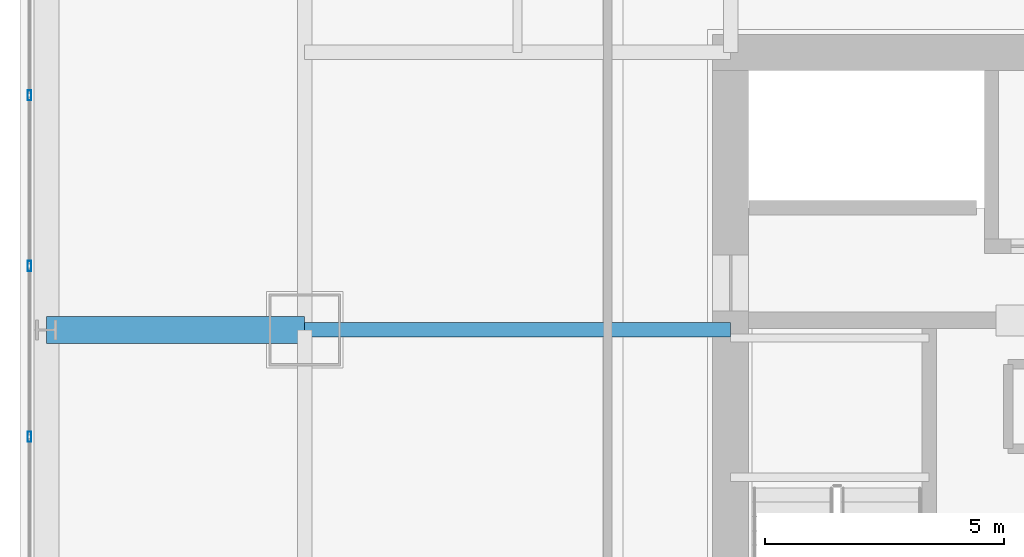
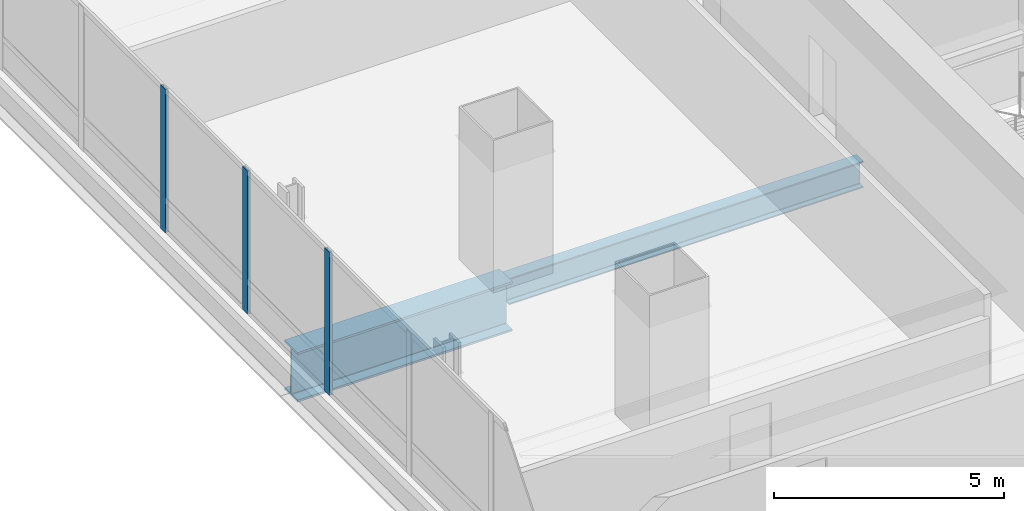
# One storey, part 11 of 35: 3 members, 2 beams, 1 element without a shape of its own.
"""IFC4 building model written with IfcOpenShell, lengths in metres."""

from ifc_helpers import new_model, si_unit, direction, frame, origin, origin_2d, place, context, subcontext, project, spatial, hollow_rectangle, i_section, extrude, material, material_profile, profile_set, type_object, element, aggregate, save


model = new_model("IFC4")

# Units and contexts
model_context = context("Model", 3, precision=1e-05, world=origin(), true_north=direction((0.0, 1.0)))
body_context = subcontext(model_context, "Body", "Model", "MODEL_VIEW")
ifc_project = project(units=[si_unit("LENGTHUNIT", "METRE"), si_unit("AREAUNIT", "SQUARE_METRE"), si_unit("VOLUMEUNIT", "CUBIC_METRE"), si_unit("PLANEANGLEUNIT", "RADIAN"), si_unit("MASSUNIT", "GRAM", prefix="KILO")], contexts=[model_context])

# Site, building, storey
site_placement = place(None, origin())
site = spatial("IfcSite", under=ifc_project, at=site_placement, CompositionType="ELEMENT")
building_placement = place(site_placement, origin())
building = spatial("IfcBuilding", under=site, at=building_placement, Name="Punatoya Terracotta Tower", CompositionType="ELEMENT")
storey_placement = place(building_placement, frame((0.0, 0.0, 52.5)))
storey = spatial("IfcBuildingStorey", under=building, at=storey_placement, Name="L11", CompositionType="ELEMENT", Elevation=52.5)

# Beams
ifc_material_1 = material(Name="Steel S355", Category="steel")
ifc_material_profile_1 = material_profile(ifc_material_1, i_section(OverallWidth=0.300048828125, OverallDepth=0.699951171875, WebThickness=0.01708984375, FlangeThickness=0.031982421875, FilletRadius=0.01806640625, at=origin_2d()))
ifc_profile_set_1 = profile_set([ifc_material_profile_1], Name="Steel S355")
beam_type_1 = type_object("IfcBeamType", Name="BM-PRI-700", PredefinedType="BEAM", material=ifc_profile_set_1)
beam_1_placement = place(storey_placement, frame((-19.10009765625, 3.39990234375, -0.590087890625), z_axis=(1.0, 0.0, 0.0), x_axis=(0.0, 1.0, 0.0)))
element("IfcBeam", 1, at=beam_1_placement, inside=storey, type_object=beam_type_1, Name="BM-L11-PR-WE", PredefinedType="BEAM", context=body_context, shape_type="SweptSolid", body=[
    extrude(i_section(OverallWidth=0.300048828125, OverallDepth=0.699951171875, WebThickness=0.01708984375, FlangeThickness=0.031982421875, FilletRadius=0.01806640625, at=origin_2d()), origin(), (0.0, 0.0, 1.0), 8.900146484375),
])
ifc_material_2 = material(Name="Steel S460", Category="steel")
ifc_material_profile_2 = material_profile(ifc_material_2, i_section(OverallWidth=0.56005859375, OverallDepth=1.320068359375, WebThickness=0.035888671875, FlangeThickness=0.054931640625, FilletRadius=0.01806640625, at=origin_2d()))
ifc_profile_set_2 = profile_set([ifc_material_profile_2], Name="Steel S460")
beam_type_2 = type_object("IfcBeamType", Name="BM-TG-BLK", PredefinedType="BEAM", material=ifc_profile_set_2)
beam_2_placement = place(storey_placement, frame((-24.5, 3.39990234375, -0.89990234375), z_axis=(1.0, 0.0, 0.0), x_axis=(0.0, 1.0, 0.0)))
element("IfcBeam", 2, at=beam_2_placement, inside=storey, type_object=beam_type_2, Name="BM-L11-CANT-W3", PredefinedType="BEAM", context=body_context, shape_type="SweptSolid", body=[
    extrude(i_section(OverallWidth=0.56005859375, OverallDepth=1.320068359375, WebThickness=0.035888671875, FlangeThickness=0.054931640625, FilletRadius=0.01806640625, at=origin_2d()), origin(), (0.0, 0.0, 1.0), 5.39990234375),
])

# Curtain wall, members
ifc_material_3 = material(Name="Aluminium 6063-T6 + Double Low-E Glass", Category="aluminium")
curtain_wall_type = type_object("IfcCurtainWallType", Name="CW-M1", PredefinedType="NOTDEFINED", material=ifc_material_3)
curtain_wall_placement = place(storey_placement, origin())
curtain_wall = element("IfcCurtainWall", 3, at=curtain_wall_placement, inside=storey, type_object=curtain_wall_type, Name="L11 Curtain Wall CW-L11-W13-1", PredefinedType="NOTDEFINED")
ifc_material_4 = material(Name="Aluminium 6063-T6", Category="aluminium")
ifc_material_profile_3 = material_profile(ifc_material_4, hollow_rectangle(XDim=0.074951171875, YDim=0.2099609375, WallThickness=0.00439453125, at=origin_2d()))
ifc_profile_set_3 = profile_set([ifc_material_profile_3], Name="Aluminium 6063-T6")
member_type = type_object("IfcMemberType", Name="CW-MUL-M1", PredefinedType="MULLION", material=ifc_profile_set_3)
member_1_placement = place(storey_placement, frame((-24.85009765625, 8.302001953125, 0.0), z_axis=(0.0, 0.0, 1.0), x_axis=(1.0, 0.0, 0.0)))
member_1 = element("IfcMember", 4, at=member_1_placement, type_object=member_type, Name="CW-L11-W13-1 Mullion 02", PredefinedType="MULLION", context=body_context, shape_type="SweptSolid", body=[
    extrude(hollow_rectangle(XDim=0.074951171875, YDim=0.2099609375, WallThickness=0.00439453125, at=origin_2d()), origin(), (0.0, 0.0, 1.0), 3.81005859375),
])
member_2_placement = place(storey_placement, frame((-24.85009765625, 4.73486328125, 0.0), z_axis=(0.0, 0.0, 1.0), x_axis=(1.0, 0.0, 0.0)))
member_2 = element("IfcMember", 5, at=member_2_placement, type_object=member_type, Name="CW-L11-W13-1 Mullion 03", PredefinedType="MULLION", context=body_context, shape_type="SweptSolid", body=[
    extrude(hollow_rectangle(XDim=0.074951171875, YDim=0.2099609375, WallThickness=0.00439453125, at=origin_2d()), origin(), (0.0, 0.0, 1.0), 3.81005859375),
])
member_3_placement = place(storey_placement, frame((-24.85009765625, 1.16748046875, 0.0), z_axis=(0.0, 0.0, 1.0), x_axis=(1.0, 0.0, 0.0)))
member_3 = element("IfcMember", 6, at=member_3_placement, type_object=member_type, Name="CW-L11-W13-1 Mullion 04", PredefinedType="MULLION", context=body_context, shape_type="SweptSolid", body=[
    extrude(hollow_rectangle(XDim=0.074951171875, YDim=0.2099609375, WallThickness=0.00439453125, at=origin_2d()), origin(), (0.0, 0.0, 1.0), 3.81005859375),
])
aggregate(curtain_wall, [member_1, member_2, member_3])

save(model, "model.ifc")
